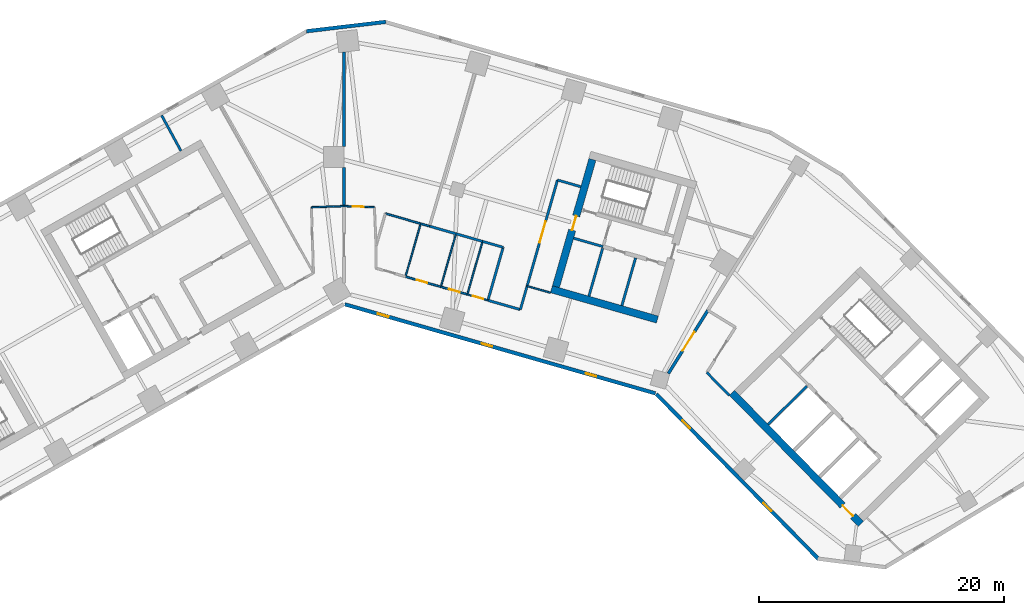
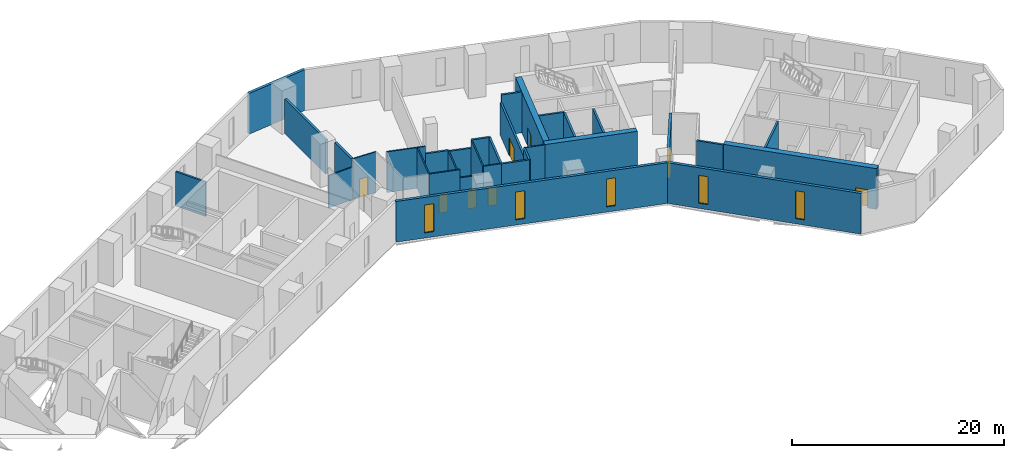
# One storey, part 5 of 10: 34 walls, 8 doors, 5 windows, 13 openings.
"""IFC4 building model written with IfcOpenShell, lengths in metres."""

from ifc_helpers import new_model, si_unit, direction, frame, frame_2d, origin, place, context, subcontext, project, spatial, rectangle, extrude, material, layer, layer_set, type_object, element, fill, save


model = new_model("IFC4")

# Units and contexts
model_context = context("Model", 3, precision=1e-05, world=origin(), true_north=direction((0.0, 1.0)))
body_context = subcontext(model_context, "Body", "Model", "MODEL_VIEW")
ifc_project = project(units=[si_unit("LENGTHUNIT", "METRE"), si_unit("AREAUNIT", "SQUARE_METRE"), si_unit("VOLUMEUNIT", "CUBIC_METRE"), si_unit("PLANEANGLEUNIT", "RADIAN"), si_unit("MASSUNIT", "GRAM", prefix="KILO")], contexts=[model_context])

# Site, building, storey
site_placement = place(None, origin())
site = spatial("IfcSite", under=ifc_project, at=site_placement, CompositionType="ELEMENT")
building_placement = place(site_placement, origin())
building = spatial("IfcBuilding", under=site, at=building_placement, Name="Binnacle Exchange Tower", CompositionType="ELEMENT")
storey_placement = place(building_placement, frame((0.0, 0.0, 41.5)))
storey = spatial("IfcBuildingStorey", under=building, at=storey_placement, Name="L08", CompositionType="ELEMENT", Elevation=41.5)

# Wall
ifc_material_1 = material(Name="Gypsum partition fire rated")
ifc_layer_1 = layer(ifc_material_1, 0.199951171875)
ifc_layer_set_1 = layer_set([ifc_layer_1], Name="Core partition 200")
wall_type_1 = type_object("IfcWallType", Name="Core partition 200", PredefinedType="PARTITIONING", material=ifc_layer_set_1)
wall_1_placement = place(storey_placement, frame((22.664794921875, 47.88330078125, 0.0), z_axis=(0.0, 0.0, 1.0), x_axis=(0.275596769212, 0.961273333033, 0.0)))
element("IfcWall", 1, at=wall_1_placement, inside=storey, type_object=wall_type_1, Name="Core wall CRWD10", PredefinedType="PARTITIONING", context=body_context, shape_type="SweptSolid", body=[
    extrude(rectangle(XDim=4.050048828125, YDim=0.199951171875, at=frame_2d((2.02490234375, 0.0))), origin(), (0.0, 0.0, 1.0), 4.679931640625),
])

# Wall, opening, door
ifc_material_2 = material(Name="Concrete C70/85", Category="concrete")
ifc_layer_2 = layer(ifc_material_2, 0.60009765625)
ifc_layer_set_2 = layer_set([ifc_layer_2], Name="Core wall - outer 600")
wall_type_2 = type_object("IfcWallType", Name="Core wall - outer 600", PredefinedType="SOLIDWALL", material=ifc_layer_set_2)
wall_2_placement = place(storey_placement, frame((31.6455078125, 40.7626953125, 0.0), z_axis=(0.0, 0.0, 1.0), x_axis=(0.700911255944, -0.713248491965, 0.0)))
wall_2 = element("IfcWall", 2, at=wall_2_placement, inside=storey, type_object=wall_type_2, Name="Core wall CRWB1", PredefinedType="SOLIDWALL", context=body_context, shape_type="SweptSolid", body=[
    extrude(rectangle(XDim=15.0, YDim=0.60009765625, at=frame_2d((7.5, 0.0))), origin(), (0.0, 0.0, 1.0), 4.679931640625),
])
opening_1_placement = place(wall_2_placement, frame((12.89990234375, 0.0, 0.0)))
opening_1 = element("IfcOpeningElement", 3, at=opening_1_placement, cuts=wall_2, Name="Opening DB7", PredefinedType="OPENING", context=body_context, shape_type="SweptSolid", body=[
    extrude(rectangle(XDim=1.199951171875, YDim=2.10009765625, at=frame_2d((0.60009765625, 1.050048828125))), frame((0.0, 0.31005859375, 0.0), z_axis=(0.0, -1.0, 0.0), x_axis=(1.0, 0.0, 0.0)), (0.0, 0.0, 1.0), 0.6201171875),
])
ifc_material_3 = material(Name="Steel door leaf", Category="steel")
door_type_1 = type_object("IfcDoorType", Name="Fire door 1200", OperationType="NOTDEFINED", PredefinedType="DOOR", material=ifc_material_3)
door_1_placement = place(opening_1_placement, frame((1.199951171875, 0.0, 0.0), z_axis=(0.0, 0.0, 1.0), x_axis=(-1.0, 0.0, 0.0)))
door_1 = element("IfcDoor", 4, at=door_1_placement, inside=storey, type_object=door_type_1, Name="Lift lobby entrance door core B", OperationType="SINGLE_SWING_LEFT", OverallHeight=2.10009765625, OverallWidth=1.199951171875, PredefinedType="DOOR", context=body_context, shape_type="SweptSolid", body=[
    extrude(rectangle(XDim=1.199951171875, YDim=2.10009765625, at=frame_2d((0.60009765625, 1.050048828125))), frame((0.0, 0.02490234375, 0.0), z_axis=(0.0, -1.0, 0.0), x_axis=(1.0, 0.0, 0.0)), (0.0, 0.0, 1.0), 0.050048828125),
])
fill(opening_1, door_1)

# Wall
wall_3_placement = place(storey_placement, frame((16.91064453125, 49.22119140625, 0.0), z_axis=(0.0, 0.0, 1.0), x_axis=(0.96126248289, -0.275634611374, 0.0)))
element("IfcWall", 5, at=wall_3_placement, inside=storey, type_object=wall_type_2, Name="Core wall CRWD1", PredefinedType="SOLIDWALL", context=body_context, shape_type="SweptSolid", body=[
    extrude(rectangle(XDim=9.0, YDim=0.60009765625, at=frame_2d((4.5, 0.0))), origin(), (0.0, 0.0, 1.0), 4.679931640625),
])

# Wall, opening, door
wall_4_placement = place(storey_placement, frame((17.28173828125, 49.427001953125, 0.0), z_axis=(0.0, 0.0, 1.0), x_axis=(0.275631631629, 0.961263337304, 0.0)))
wall_4 = element("IfcWall", 6, at=wall_4_placement, inside=storey, type_object=wall_type_2, Name="Core wall CRWD7", PredefinedType="SOLIDWALL", context=body_context, shape_type="SweptSolid", body=[
    extrude(rectangle(XDim=10.800048828125, YDim=0.60009765625, at=frame_2d((5.39990234375, 0.0))), origin(), (0.0, 0.0, 1.0), 4.679931640625),
])
opening_2_placement = place(wall_4_placement, frame((4.800048828125, 0.0, 0.0)))
opening_2 = element("IfcOpeningElement", 7, at=opening_2_placement, cuts=wall_4, Name="Opening DD5", PredefinedType="OPENING", context=body_context, shape_type="SweptSolid", body=[
    extrude(rectangle(XDim=1.199951171875, YDim=2.10009765625, at=frame_2d((0.60009765625, 1.050048828125))), frame((0.0, 0.31005859375, 0.0), z_axis=(0.0, -1.0, 0.0), x_axis=(1.0, 0.0, 0.0)), (0.0, 0.0, 1.0), 0.6201171875),
])
door_2_placement = place(opening_2_placement, origin())
door_2 = element("IfcDoor", 8, at=door_2_placement, inside=storey, type_object=door_type_1, Name="Vestibule exit door VEST-W", OperationType="SINGLE_SWING_RIGHT", OverallHeight=2.10009765625, OverallWidth=1.199951171875, PredefinedType="DOOR", context=body_context, shape_type="SweptSolid", body=[
    extrude(rectangle(XDim=1.199951171875, YDim=2.10009765625, at=frame_2d((0.60009765625, 1.050048828125))), frame((0.0, 0.02490234375, 0.0), z_axis=(0.0, -1.0, 0.0), x_axis=(1.0, 0.0, 0.0)), (0.0, 0.0, 1.0), 0.050048828125),
])
fill(opening_2, door_2)

# Wall
ifc_material_4 = material(Name="Bronze aluminium cladding", Category="aluminium")
ifc_layer_3 = layer(ifc_material_4, 0.300048828125)
ifc_layer_set_3 = layer_set([ifc_layer_3], Name="External wall - spandrel 300")
wall_type_3 = type_object("IfcWallType", Name="External wall - spandrel 300", PredefinedType="STANDARD", material=ifc_layer_set_3)
wall_5_placement = place(storey_placement, frame((-3.076171875, 70.27294921875, 0.0), z_axis=(0.0, 0.0, 1.0), x_axis=(0.993067743007, 0.117543429416, 0.0)))
element("IfcWall", 9, at=wall_5_placement, inside=storey, type_object=wall_type_3, Name="External wall EW-F02 L08", PredefinedType="STANDARD", context=body_context, shape_type="SweptSolid", body=[
    extrude(rectangle(XDim=6.515625, YDim=0.300048828125, at=frame_2d((3.2578125, 0.0))), origin(), (0.0, 0.0, 1.0), 4.679931640625),
])

# Wall, openings, windows
wall_6_placement = place(storey_placement, frame((25.398193359375, 40.71728515625, 0.0), z_axis=(0.0, 0.0, 1.0), x_axis=(-0.961262423262, 0.275634819324, 0.0)))
wall_6 = element("IfcWall", 10, at=wall_6_placement, inside=storey, type_object=wall_type_3, Name="External wall EW-F08 L08", PredefinedType="STANDARD", context=body_context, shape_type="SweptSolid", body=[
    extrude(rectangle(XDim=26.358642578125, YDim=0.300048828125, at=frame_2d((13.17919921875, 0.0))), origin(), (0.0, 0.0, 1.0), 4.679931640625),
])
opening_3_placement = place(wall_6_placement, frame((22.6640625, 0.0, 0.60009765625)))
opening_3 = element("IfcOpeningElement", 11, at=opening_3_placement, cuts=wall_6, Name="Opening WS1", PredefinedType="OPENING", context=body_context, shape_type="SweptSolid", body=[
    extrude(rectangle(XDim=0.89990234375, YDim=3.199951171875, at=frame_2d((0.449951171875, 1.60009765625))), frame((0.0, 0.159912109375, 0.0), z_axis=(0.0, -1.0, 0.0), x_axis=(1.0, 0.0, 0.0)), (0.0, 0.0, 1.0), 0.320068359375),
])
opening_4_placement = place(wall_6_placement, frame((13.843505859375, 0.0, 0.60009765625)))
opening_4 = element("IfcOpeningElement", 12, at=opening_4_placement, cuts=wall_6, Name="Opening WS1", PredefinedType="OPENING", context=body_context, shape_type="SweptSolid", body=[
    extrude(rectangle(XDim=0.89990234375, YDim=3.199951171875, at=frame_2d((0.449951171875, 1.60009765625))), frame((0.0, 0.159912109375, 0.0), z_axis=(0.0, -1.0, 0.0), x_axis=(1.0, 0.0, 0.0)), (0.0, 0.0, 1.0), 0.320068359375),
])
opening_5_placement = place(wall_6_placement, frame((5.023193359375, 0.0, 0.60009765625)))
opening_5 = element("IfcOpeningElement", 13, at=opening_5_placement, cuts=wall_6, Name="Opening WS1", PredefinedType="OPENING", context=body_context, shape_type="SweptSolid", body=[
    extrude(rectangle(XDim=0.89990234375, YDim=3.199951171875, at=frame_2d((0.449951171875, 1.60009765625))), frame((0.0, 0.159912109375, 0.0), z_axis=(0.0, -1.0, 0.0), x_axis=(1.0, 0.0, 0.0)), (0.0, 0.0, 1.0), 0.320068359375),
])
ifc_material_5 = material(Name="Bronze anodised aluminium frame", Category="aluminium")
window_type = type_object("IfcWindowType", Name="WS1 WINDOW 900x3200", PartitioningType="SINGLE_PANEL", PredefinedType="WINDOW", material=ifc_material_5)
window_1_placement = place(opening_3_placement, origin())
window_1 = element("IfcWindow", 14, at=window_1_placement, inside=storey, type_object=window_type, Name="Window WS1 L08", OverallHeight=3.199951171875, OverallWidth=0.89990234375, PartitioningType="SINGLE_PANEL", PredefinedType="WINDOW", context=body_context, shape_type="SweptSolid", body=[
    extrude(rectangle(XDim=0.89990234375, YDim=3.199951171875, at=frame_2d((0.449951171875, 1.60009765625))), frame((0.0, 0.030029296875, 0.0), z_axis=(0.0, -1.0, 0.0), x_axis=(1.0, 0.0, 0.0)), (0.0, 0.0, 1.0), 0.06005859375),
])
fill(opening_3, window_1)
window_2_placement = place(opening_4_placement, origin())
window_2 = element("IfcWindow", 15, at=window_2_placement, inside=storey, type_object=window_type, Name="Window WS1 L08", OverallHeight=3.199951171875, OverallWidth=0.89990234375, PartitioningType="SINGLE_PANEL", PredefinedType="WINDOW", context=body_context, shape_type="SweptSolid", body=[
    extrude(rectangle(XDim=0.89990234375, YDim=3.199951171875, at=frame_2d((0.449951171875, 1.60009765625))), frame((0.0, 0.030029296875, 0.0), z_axis=(0.0, -1.0, 0.0), x_axis=(1.0, 0.0, 0.0)), (0.0, 0.0, 1.0), 0.06005859375),
])
fill(opening_4, window_2)
window_3_placement = place(opening_5_placement, origin())
window_3 = element("IfcWindow", 16, at=window_3_placement, inside=storey, type_object=window_type, Name="Window WS1 L08", OverallHeight=3.199951171875, OverallWidth=0.89990234375, PartitioningType="SINGLE_PANEL", PredefinedType="WINDOW", context=body_context, shape_type="SweptSolid", body=[
    extrude(rectangle(XDim=0.89990234375, YDim=3.199951171875, at=frame_2d((0.449951171875, 1.60009765625))), frame((0.0, 0.030029296875, 0.0), z_axis=(0.0, -1.0, 0.0), x_axis=(1.0, 0.0, 0.0)), (0.0, 0.0, 1.0), 0.06005859375),
])
fill(opening_5, window_3)

wall_7_placement = place(storey_placement, frame((38.727294921875, 27.18115234375, 0.0), z_axis=(0.0, 0.0, 1.0), x_axis=(-0.700906405975, 0.713253258011, 0.0)))
wall_7 = element("IfcWall", 17, at=wall_7_placement, inside=storey, type_object=wall_type_3, Name="External wall EW-F09 L08", PredefinedType="STANDARD", context=body_context, shape_type="SweptSolid", body=[
    extrude(rectangle(XDim=18.92333984375, YDim=0.300048828125, at=frame_2d((9.461669921875, 0.0))), origin(), (0.0, 0.0, 1.0), 4.679931640625),
])
opening_6_placement = place(wall_7_placement, frame((14.967041015625, 0.0, 0.60009765625)))
opening_6 = element("IfcOpeningElement", 18, at=opening_6_placement, cuts=wall_7, Name="Opening WS1", PredefinedType="OPENING", context=body_context, shape_type="SweptSolid", body=[
    extrude(rectangle(XDim=0.89990234375, YDim=3.199951171875, at=frame_2d((0.449951171875, 1.60009765625))), frame((0.0, 0.159912109375, 0.0), z_axis=(0.0, -1.0, 0.0), x_axis=(1.0, 0.0, 0.0)), (0.0, 0.0, 1.0), 0.320068359375),
])
opening_7_placement = place(wall_7_placement, frame((5.51171875, 0.0, 0.60009765625)))
opening_7 = element("IfcOpeningElement", 19, at=opening_7_placement, cuts=wall_7, Name="Opening WS1", PredefinedType="OPENING", context=body_context, shape_type="SweptSolid", body=[
    extrude(rectangle(XDim=0.89990234375, YDim=3.199951171875, at=frame_2d((0.449951171875, 1.60009765625))), frame((0.0, 0.159912109375, 0.0), z_axis=(0.0, -1.0, 0.0), x_axis=(1.0, 0.0, 0.0)), (0.0, 0.0, 1.0), 0.320068359375),
])
window_4_placement = place(opening_6_placement, origin())
window_4 = element("IfcWindow", 20, at=window_4_placement, inside=storey, type_object=window_type, Name="Window WS1 L08", OverallHeight=3.199951171875, OverallWidth=0.89990234375, PartitioningType="SINGLE_PANEL", PredefinedType="WINDOW", context=body_context, shape_type="SweptSolid", body=[
    extrude(rectangle(XDim=0.89990234375, YDim=3.199951171875, at=frame_2d((0.449951171875, 1.60009765625))), frame((0.0, 0.030029296875, 0.0), z_axis=(0.0, -1.0, 0.0), x_axis=(1.0, 0.0, 0.0)), (0.0, 0.0, 1.0), 0.06005859375),
])
fill(opening_6, window_4)
window_5_placement = place(opening_7_placement, origin())
window_5 = element("IfcWindow", 21, at=window_5_placement, inside=storey, type_object=window_type, Name="Window WS1 L08", OverallHeight=3.199951171875, OverallWidth=0.89990234375, PartitioningType="SINGLE_PANEL", PredefinedType="WINDOW", context=body_context, shape_type="SweptSolid", body=[
    extrude(rectangle(XDim=0.89990234375, YDim=3.199951171875, at=frame_2d((0.449951171875, 1.60009765625))), frame((0.0, 0.030029296875, 0.0), z_axis=(0.0, -1.0, 0.0), x_axis=(1.0, 0.0, 0.0)), (0.0, 0.0, 1.0), 0.06005859375),
])
fill(opening_7, window_5)

# Walls
ifc_material_6 = material(Name="Masonry block wall", Category="masonry")
ifc_layer_4 = layer(ifc_material_6, 0.199951171875)
ifc_layer_set_4 = layer_set([ifc_layer_4], Name="Fire wall - block 200")
wall_type_4 = type_object("IfcWallType", Name="Fire wall - block 200", PredefinedType="PARTITIONING", material=ifc_layer_set_4)
wall_8_placement = place(storey_placement, frame((-14.89404296875, 63.40087890625, 0.0), z_axis=(0.0, 0.0, 1.0), x_axis=(0.478389929376, -0.878147524891, 0.0)))
element("IfcWall", 22, at=wall_8_placement, inside=storey, type_object=wall_type_4, Name="Partition W05", PredefinedType="PARTITIONING", context=body_context, shape_type="SweptSolid", body=[
    extrude(rectangle(XDim=3.294189453125, YDim=0.199951171875, at=frame_2d((1.64697265625, 0.0))), origin(), (0.0, 0.0, 1.0), 3.9599609375),
])
wall_9_placement = place(storey_placement, frame((6.966064453125, 54.362060546875, 0.0), z_axis=(0.0, 0.0, 1.0), x_axis=(0.961154610169, -0.276010534854, 0.0)))
element("IfcWall", 23, at=wall_9_placement, inside=storey, type_object=wall_type_4, Name="Partition W22", PredefinedType="PARTITIONING", context=body_context, shape_type="SweptSolid", body=[
    extrude(rectangle(XDim=2.250244140625, YDim=0.199951171875, at=frame_2d((1.125, 0.0))), origin(), (0.0, 0.0, 1.0), 3.85205078125),
])
wall_10_placement = place(storey_placement, frame((9.12890625, 53.740966796875, 0.0), z_axis=(0.0, 0.0, 1.0), x_axis=(0.961273691875, -0.275595517578, 0.0)))
element("IfcWall", 24, at=wall_10_placement, inside=storey, type_object=wall_type_4, Name="Partition W26", PredefinedType="PARTITIONING", context=body_context, shape_type="SweptSolid", body=[
    extrude(rectangle(XDim=2.249267578125, YDim=0.199951171875, at=frame_2d((1.12451171875, 0.0))), origin(), (0.0, 0.0, 1.0), 3.741943359375),
])
wall_11_placement = place(storey_placement, frame((11.291015625, 53.12109375, 0.0), z_axis=(0.0, 0.0, 1.0), x_axis=(0.961329010357, -0.275402494264, 0.0)))
element("IfcWall", 25, at=wall_11_placement, inside=storey, type_object=wall_type_4, Name="Partition W29", PredefinedType="PARTITIONING", context=body_context, shape_type="SweptSolid", body=[
    extrude(rectangle(XDim=1.750732421875, YDim=0.199951171875, at=frame_2d((0.87548828125, 0.0))), origin(), (0.0, 0.0, 1.0), 4.679931640625),
])
wall_12_placement = place(storey_placement, frame((11.73291015625, 48.31298828125, 0.0), z_axis=(0.0, 0.0, 1.0), x_axis=(0.275795676316, 0.961216284155, 0.0)))
element("IfcWall", 26, at=wall_12_placement, inside=storey, type_object=wall_type_4, Name="Partition W30", PredefinedType="PARTITIONING", context=body_context, shape_type="SweptSolid", body=[
    extrude(rectangle(XDim=4.50048828125, YDim=0.199951171875, at=frame_2d((2.250244140625, 0.0))), origin(), (0.0, 0.0, 1.0), 4.679931640625),
])
wall_13_placement = place(storey_placement, frame((11.73291015625, 48.31298828125, 0.0), z_axis=(0.0, 0.0, 1.0), x_axis=(0.961272337704, -0.275600240865, 0.0)))
element("IfcWall", 27, at=wall_13_placement, inside=storey, type_object=wall_type_4, Name="Partition W31", PredefinedType="PARTITIONING", context=body_context, shape_type="SweptSolid", body=[
    extrude(rectangle(XDim=2.75048828125, YDim=0.199951171875, at=frame_2d((1.375244140625, 0.0))), origin(), (0.0, 0.0, 1.0), 4.679931640625),
])
wall_14_placement = place(storey_placement, frame((14.376953125, 47.554931640625, 0.0), z_axis=(0.0, 0.0, 1.0), x_axis=(0.275446387355, 0.961316434736, 0.0)))
element("IfcWall", 28, at=wall_14_placement, inside=storey, type_object=wall_type_4, Name="Partition W32", PredefinedType="PARTITIONING", context=body_context, shape_type="SweptSolid", body=[
    extrude(rectangle(XDim=2.00048828125, YDim=0.199951171875, at=frame_2d((1.000244140625, 0.0))), origin(), (0.0, 0.0, 1.0), 4.679931640625),
])

# Wall, opening, door
wall_15_placement = place(storey_placement, frame((14.927978515625, 49.47802734375, 0.0), z_axis=(0.0, 0.0, 1.0), x_axis=(0.275674053528, 0.961251172281, 0.0)))
wall_15 = element("IfcWall", 29, at=wall_15_placement, inside=storey, type_object=wall_type_4, Name="Partition W34", PredefinedType="PARTITIONING", context=body_context, shape_type="SweptSolid", body=[
    extrude(rectangle(XDim=8.99951171875, YDim=0.199951171875, at=frame_2d((4.499755859375, 0.0))), origin(), (0.0, 0.0, 1.0), 3.741943359375),
])
opening_8_placement = place(wall_15_placement, frame((3.699951171875, 0.0, 0.0)))
opening_8 = element("IfcOpeningElement", 30, at=opening_8_placement, cuts=wall_15, Name="Opening DL08-10", PredefinedType="OPENING", context=body_context, shape_type="SweptSolid", body=[
    extrude(rectangle(XDim=1.800048828125, YDim=2.10009765625, at=frame_2d((0.89990234375, 1.050048828125))), frame((0.0, 0.10986328125, 0.0), z_axis=(0.0, -1.0, 0.0), x_axis=(1.0, 0.0, 0.0)), (0.0, 0.0, 1.0), 0.219970703125),
])
door_type_2 = type_object("IfcDoorType", Name="Fire door 1800", OperationType="NOTDEFINED", PredefinedType="DOOR", material=ifc_material_3)
door_3_placement = place(opening_8_placement, origin())
door_3 = element("IfcDoor", 31, at=door_3_placement, inside=storey, type_object=door_type_2, Name="Door DL08-10", OperationType="DOUBLE_DOOR_SINGLE_SWING", OverallHeight=2.10009765625, OverallWidth=1.800048828125, PredefinedType="DOOR", context=body_context, shape_type="SweptSolid", body=[
    extrude(rectangle(XDim=1.800048828125, YDim=2.10009765625, at=frame_2d((0.89990234375, 1.050048828125))), frame((0.0, 0.02490234375, 0.0), z_axis=(0.0, -1.0, 0.0), x_axis=(1.0, 0.0, 0.0)), (0.0, 0.0, 1.0), 0.050048828125),
])
fill(opening_8, door_3)

# Walls
wall_16_placement = place(storey_placement, frame((17.408935546875, 58.12890625, 0.0), z_axis=(0.0, 0.0, 1.0), x_axis=(0.961253165474, -0.275667103345, 0.0)))
element("IfcWall", 32, at=wall_16_placement, inside=storey, type_object=wall_type_4, Name="Partition W35", PredefinedType="PARTITIONING", context=body_context, shape_type="SweptSolid", body=[
    extrude(rectangle(XDim=1.976806640625, YDim=0.199951171875, at=frame_2d((0.98828125, 0.0))), origin(), (0.0, 0.0, 1.0), 4.679931640625),
])
wall_17_placement = place(storey_placement, frame((29.60009765625, 42.416015625, 0.0), z_axis=(0.0, 0.0, 1.0), x_axis=(0.700914320664, -0.713245480244, 0.0)))
element("IfcWall", 33, at=wall_17_placement, inside=storey, type_object=wall_type_4, Name="Partition W38", PredefinedType="PARTITIONING", context=body_context, shape_type="SweptSolid", body=[
    extrude(rectangle(XDim=2.613525390625, YDim=0.199951171875, at=frame_2d((1.306640625, 0.0))), origin(), (0.0, 0.0, 1.0), 4.679931640625),
])
ifc_material_7 = material(Name="Concrete fire wall C30/37", Category="concrete")
ifc_layer_5 = layer(ifc_material_7, 0.25)
ifc_layer_set_5 = layer_set([ifc_layer_5], Name="Fire wall - compartment 250")
wall_type_5 = type_object("IfcWallType", Name="Fire wall - compartment 250", PredefinedType="PARTITIONING", material=ifc_layer_set_5)
wall_18_placement = place(storey_placement, frame((0.0, 56.0, 0.0), z_axis=(0.0, 0.0, 1.0), x_axis=(0.0, 1.0, 0.0)))
element("IfcWall", 34, at=wall_18_placement, inside=storey, type_object=wall_type_5, Name="Fire Wall W11", PredefinedType="PARTITIONING", context=body_context, shape_type="SweptSolid", body=[
    extrude(rectangle(XDim=3.14990234375, YDim=0.25, at=frame_2d((1.574951171875, 0.0))), origin(), (0.0, 0.0, 1.0), 4.679931640625),
])
wall_19_placement = place(storey_placement, frame((0.0, 60.85009765625, 0.0), z_axis=(0.0, 0.0, 1.0), x_axis=(0.0, 1.0, 0.0)))
element("IfcWall", 35, at=wall_19_placement, inside=storey, type_object=wall_type_5, Name="Fire Wall W13", PredefinedType="PARTITIONING", context=body_context, shape_type="SweptSolid", body=[
    extrude(rectangle(XDim=7.722900390625, YDim=0.25, at=frame_2d((3.861328125, 0.0))), origin(), (0.0, 0.0, 1.0), 3.951904296875),
])

# Wall, opening, door
wall_20_placement = place(storey_placement, frame((26.4560546875, 42.337890625, 0.0), z_axis=(0.0, 0.0, 1.0), x_axis=(0.52980027265, 0.848122438743, 0.0)))
wall_20 = element("IfcWall", 36, at=wall_20_placement, inside=storey, type_object=wall_type_5, Name="Fire Wall W36", PredefinedType="PARTITIONING", context=body_context, shape_type="SweptSolid", body=[
    extrude(rectangle(XDim=6.075927734375, YDim=0.25, at=frame_2d((3.0380859375, 0.0))), origin(), (0.0, 0.0, 1.0), 4.679931640625),
])
opening_9_placement = place(wall_20_placement, frame((2.199951171875, 0.0, 0.0)))
opening_9 = element("IfcOpeningElement", 37, at=opening_9_placement, cuts=wall_20, Name="Opening DL08-14", PredefinedType="OPENING", context=body_context, shape_type="SweptSolid", body=[
    extrude(rectangle(XDim=1.800048828125, YDim=2.10009765625, at=frame_2d((0.89990234375, 1.050048828125))), frame((0.0, 0.135009765625, 0.0), z_axis=(0.0, -1.0, 0.0), x_axis=(1.0, 0.0, 0.0)), (0.0, 0.0, 1.0), 0.27001953125),
])
door_4_placement = place(opening_9_placement, origin())
door_4 = element("IfcDoor", 38, at=door_4_placement, inside=storey, type_object=door_type_2, Name="Door DL08-14", OperationType="DOUBLE_DOOR_SINGLE_SWING", OverallHeight=2.10009765625, OverallWidth=1.800048828125, PredefinedType="DOOR", context=body_context, shape_type="SweptSolid", body=[
    extrude(rectangle(XDim=1.800048828125, YDim=2.10009765625, at=frame_2d((0.89990234375, 1.050048828125))), frame((0.0, 0.02490234375, 0.0), z_axis=(0.0, -1.0, 0.0), x_axis=(1.0, 0.0, 0.0)), (0.0, 0.0, 1.0), 0.050048828125),
])
fill(opening_9, door_4)

# Wall
ifc_layer_6 = layer(ifc_material_1, 0.14990234375)
ifc_layer_set_6 = layer_set([ifc_layer_6], Name="Fire-rated partition 150")
wall_type_6 = type_object("IfcWallType", Name="Fire-rated partition 150", PredefinedType="PARTITIONING", material=ifc_layer_set_6)
wall_21_placement = place(storey_placement, frame((3.361083984375, 55.39501953125, 0.0), z_axis=(0.0, 0.0, 1.0), x_axis=(0.961268664977, -0.27561305073, 0.0)))
element("IfcWall", 39, at=wall_21_placement, inside=storey, type_object=wall_type_6, Name="Partition W18", PredefinedType="PARTITIONING", context=body_context, shape_type="SweptSolid", body=[
    extrude(rectangle(XDim=3.000244140625, YDim=0.14990234375, at=frame_2d((1.5, 0.0))), origin(), (0.0, 0.0, 1.0), 4.679931640625),
])

# Wall, opening, door
wall_22_placement = place(storey_placement, frame((5.00390625, 50.242919921875, 0.0), z_axis=(0.0, 0.0, 1.0), x_axis=(0.961268664977, -0.27561305073, 0.0)))
wall_22 = element("IfcWall", 40, at=wall_22_placement, inside=storey, type_object=wall_type_6, Name="Partition W20", PredefinedType="PARTITIONING", context=body_context, shape_type="SweptSolid", body=[
    extrude(rectangle(XDim=3.000244140625, YDim=0.14990234375, at=frame_2d((1.5, 0.0))), origin(), (0.0, 0.0, 1.0), 4.679931640625),
])
opening_10_placement = place(wall_22_placement, frame((0.949951171875, 0.0, 0.0)))
opening_10 = element("IfcOpeningElement", 41, at=opening_10_placement, cuts=wall_22, Name="Opening DL08-06", PredefinedType="OPENING", context=body_context, shape_type="SweptSolid", body=[
    extrude(rectangle(XDim=0.89990234375, YDim=2.10009765625, at=frame_2d((0.449951171875, 1.050048828125))), frame((0.0, 0.0849609375, 0.0), z_axis=(0.0, -1.0, 0.0), x_axis=(1.0, 0.0, 0.0)), (0.0, 0.0, 1.0), 0.169921875),
])
door_type_3 = type_object("IfcDoorType", Name="Fire door 900", OperationType="NOTDEFINED", PredefinedType="DOOR", material=ifc_material_3)
door_5_placement = place(opening_10_placement, origin())
door_5 = element("IfcDoor", 42, at=door_5_placement, inside=storey, type_object=door_type_3, Name="Door DL08-06", OperationType="SINGLE_SWING_LEFT", OverallHeight=2.10009765625, OverallWidth=0.89990234375, PredefinedType="DOOR", context=body_context, shape_type="SweptSolid", body=[
    extrude(rectangle(XDim=0.89990234375, YDim=2.10009765625, at=frame_2d((0.449951171875, 1.050048828125))), frame((0.0, 0.02490234375, 0.0), z_axis=(0.0, -1.0, 0.0), x_axis=(1.0, 0.0, 0.0)), (0.0, 0.0, 1.0), 0.050048828125),
])
fill(opening_10, door_5)

# Wall
wall_23_placement = place(storey_placement, frame((6.2451171875, 54.568115234375, 0.0), z_axis=(0.0, 0.0, 1.0), x_axis=(0.961499370144, -0.274807134575, 0.0)))
element("IfcWall", 43, at=wall_23_placement, inside=storey, type_object=wall_type_6, Name="Partition W21", PredefinedType="PARTITIONING", context=body_context, shape_type="SweptSolid", body=[
    extrude(rectangle(XDim=0.749755859375, YDim=0.14990234375, at=frame_2d((0.375, 0.0))), origin(), (0.0, 0.0, 1.0), 4.679931640625),
])

# Wall, opening, door
wall_24_placement = place(storey_placement, frame((7.887939453125, 49.416015625, 0.0), z_axis=(0.0, 0.0, 1.0), x_axis=(0.9611628742, -0.275981755301, 0.0)))
wall_24 = element("IfcWall", 44, at=wall_24_placement, inside=storey, type_object=wall_type_6, Name="Partition W25", PredefinedType="PARTITIONING", context=body_context, shape_type="SweptSolid", body=[
    extrude(rectangle(XDim=2.25048828125, YDim=0.14990234375, at=frame_2d((1.125244140625, 0.0))), origin(), (0.0, 0.0, 1.0), 3.741943359375),
])
opening_11_placement = place(wall_24_placement, frame((0.699951171875, 0.0, 0.0)))
opening_11 = element("IfcOpeningElement", 45, at=opening_11_placement, cuts=wall_24, Name="Opening DL08-07", PredefinedType="OPENING", context=body_context, shape_type="SweptSolid", body=[
    extrude(rectangle(XDim=0.89990234375, YDim=2.10009765625, at=frame_2d((0.449951171875, 1.050048828125))), frame((0.0, 0.0849609375, 0.0), z_axis=(0.0, -1.0, 0.0), x_axis=(1.0, 0.0, 0.0)), (0.0, 0.0, 1.0), 0.169921875),
])
door_6_placement = place(opening_11_placement, origin())
door_6 = element("IfcDoor", 46, at=door_6_placement, inside=storey, type_object=door_type_3, Name="Door DL08-07", OperationType="SINGLE_SWING_RIGHT", OverallHeight=2.10009765625, OverallWidth=0.89990234375, PredefinedType="DOOR", context=body_context, shape_type="SweptSolid", body=[
    extrude(rectangle(XDim=0.89990234375, YDim=2.10009765625, at=frame_2d((0.449951171875, 1.050048828125))), frame((0.0, 0.02490234375, 0.0), z_axis=(0.0, -1.0, 0.0), x_axis=(1.0, 0.0, 0.0)), (0.0, 0.0, 1.0), 0.050048828125),
])
fill(opening_11, door_6)

# Wall
ifc_material_8 = material(Name="Gypsum partition")
ifc_layer_7 = layer(ifc_material_8, 0.125)
ifc_layer_set_7 = layer_set([ifc_layer_7], Name="Partition 125")
wall_type_7 = type_object("IfcWallType", Name="Partition 125", PredefinedType="PARTITIONING", material=ifc_layer_set_7)
wall_25_placement = place(storey_placement, frame((-2.669921875, 55.904052734375, 0.0), z_axis=(0.0, 0.0, 1.0), x_axis=(0.999354913865, 0.03591317494, 0.0)))
element("IfcWall", 47, at=wall_25_placement, inside=storey, type_object=wall_type_7, Name="Partition W09", PredefinedType="PARTITIONING", context=body_context, shape_type="SweptSolid", body=[
    extrude(rectangle(XDim=2.671630859375, YDim=0.125, at=frame_2d((1.3359375, 0.0))), origin(), (0.0, 0.0, 1.0), 3.741943359375),
])

# Wall, opening, door
wall_26_placement = place(storey_placement, frame((0.0, 56.0, 0.0), z_axis=(0.0, 0.0, 1.0), x_axis=(0.999349313684, -0.036068673934, 0.0)))
wall_26 = element("IfcWall", 48, at=wall_26_placement, inside=storey, type_object=wall_type_7, Name="Partition W12", PredefinedType="PARTITIONING", context=body_context, shape_type="SweptSolid", body=[
    extrude(rectangle(XDim=2.470703125, YDim=0.125, at=frame_2d((1.2353515625, 0.0))), origin(), (0.0, 0.0, 1.0), 4.679931640625),
])
opening_12_placement = place(wall_26_placement, frame((0.699951171875, 0.0, 0.0)))
opening_12 = element("IfcOpeningElement", 49, at=opening_12_placement, cuts=wall_26, Name="Opening DL08-09", PredefinedType="OPENING", context=body_context, shape_type="SweptSolid", body=[
    extrude(rectangle(XDim=0.89990234375, YDim=2.10009765625, at=frame_2d((0.449951171875, 1.050048828125))), frame((0.0, 0.072509765625, 0.0), z_axis=(0.0, -1.0, 0.0), x_axis=(1.0, 0.0, 0.0)), (0.0, 0.0, 1.0), 0.14501953125),
])
ifc_material_9 = material(Name="Timber door leaf", Category="wood")
door_type_4 = type_object("IfcDoorType", Name="Door 900", OperationType="NOTDEFINED", PredefinedType="DOOR", material=ifc_material_9)
door_7_placement = place(opening_12_placement, origin())
door_7 = element("IfcDoor", 50, at=door_7_placement, inside=storey, type_object=door_type_4, Name="Door DL08-09", OperationType="SINGLE_SWING_LEFT", OverallHeight=2.10009765625, OverallWidth=0.89990234375, PredefinedType="DOOR", context=body_context, shape_type="SweptSolid", body=[
    extrude(rectangle(XDim=0.89990234375, YDim=2.10009765625, at=frame_2d((0.449951171875, 1.050048828125))), frame((0.0, 0.02490234375, 0.0), z_axis=(0.0, -1.0, 0.0), x_axis=(1.0, 0.0, 0.0)), (0.0, 0.0, 1.0), 0.050048828125),
])
fill(opening_12, door_7)

# Walls
wall_27_placement = place(storey_placement, frame((5.00390625, 50.242919921875, 0.0), z_axis=(0.0, 0.0, 1.0), x_axis=(0.275838825927, 0.961203902464, 0.0)))
element("IfcWall", 51, at=wall_27_placement, inside=storey, type_object=wall_type_7, Name="Partition W19", PredefinedType="PARTITIONING", context=body_context, shape_type="SweptSolid", body=[
    extrude(rectangle(XDim=4.499755859375, YDim=0.125, at=frame_2d((2.25, 0.0))), origin(), (0.0, 0.0, 1.0), 4.679931640625),
])
wall_28_placement = place(storey_placement, frame((7.887939453125, 49.416015625, 0.0), z_axis=(0.0, 0.0, 1.0), x_axis=(0.275803080638, 0.96121415965, 0.0)))
element("IfcWall", 52, at=wall_28_placement, inside=storey, type_object=wall_type_7, Name="Partition W24", PredefinedType="PARTITIONING", context=body_context, shape_type="SweptSolid", body=[
    extrude(rectangle(XDim=4.49951171875, YDim=0.125, at=frame_2d((2.249755859375, 0.0))), origin(), (0.0, 0.0, 1.0), 3.85205078125),
])
wall_29_placement = place(storey_placement, frame((10.051025390625, 48.794921875, 0.0), z_axis=(0.0, 0.0, 1.0), x_axis=(0.275530671241, 0.961292280841, 0.0)))
element("IfcWall", 53, at=wall_29_placement, inside=storey, type_object=wall_type_7, Name="Partition W27", PredefinedType="PARTITIONING", context=body_context, shape_type="SweptSolid", body=[
    extrude(rectangle(XDim=4.50048828125, YDim=0.125, at=frame_2d((2.250244140625, 0.0))), origin(), (0.0, 0.0, 1.0), 4.679931640625),
])

# Wall, opening, door
wall_30_placement = place(storey_placement, frame((10.051025390625, 48.794921875, 0.0), z_axis=(0.0, 0.0, 1.0), x_axis=(0.961313033798, -0.275458256455, 0.0)))
wall_30 = element("IfcWall", 54, at=wall_30_placement, inside=storey, type_object=wall_type_7, Name="Partition W28", PredefinedType="PARTITIONING", context=body_context, shape_type="SweptSolid", body=[
    extrude(rectangle(XDim=1.74951171875, YDim=0.125, at=frame_2d((0.874755859375, 0.0))), origin(), (0.0, 0.0, 1.0), 4.679931640625),
])
opening_13_placement = place(wall_30_placement, frame((0.449951171875, 0.0, 0.0)))
opening_13 = element("IfcOpeningElement", 55, at=opening_13_placement, cuts=wall_30, Name="Opening DL08-08", PredefinedType="OPENING", context=body_context, shape_type="SweptSolid", body=[
    extrude(rectangle(XDim=0.89990234375, YDim=2.10009765625, at=frame_2d((0.449951171875, 1.050048828125))), frame((0.0, 0.072509765625, 0.0), z_axis=(0.0, -1.0, 0.0), x_axis=(1.0, 0.0, 0.0)), (0.0, 0.0, 1.0), 0.14501953125),
])
door_8_placement = place(opening_13_placement, origin())
door_8 = element("IfcDoor", 56, at=door_8_placement, inside=storey, type_object=door_type_4, Name="Door DL08-08", OperationType="SINGLE_SWING_RIGHT", OverallHeight=2.10009765625, OverallWidth=0.89990234375, PredefinedType="DOOR", context=body_context, shape_type="SweptSolid", body=[
    extrude(rectangle(XDim=0.89990234375, YDim=2.10009765625, at=frame_2d((0.449951171875, 1.050048828125))), frame((0.0, 0.02490234375, 0.0), z_axis=(0.0, -1.0, 0.0), x_axis=(1.0, 0.0, 0.0)), (0.0, 0.0, 1.0), 0.050048828125),
])
fill(opening_13, door_8)

# Walls
wall_31_placement = place(storey_placement, frame((14.927978515625, 49.47802734375, 0.0), z_axis=(0.0, 0.0, 1.0), x_axis=(0.961243778232, -0.27569983462, 0.0)))
element("IfcWall", 57, at=wall_31_placement, inside=storey, type_object=wall_type_7, Name="Partition W33", PredefinedType="PARTITIONING", context=body_context, shape_type="SweptSolid", body=[
    extrude(rectangle(XDim=1.9765625, YDim=0.125, at=frame_2d((0.98828125, 0.0))), origin(), (0.0, 0.0, 1.0), 4.679931640625),
])
ifc_layer_8 = layer(ifc_material_6, 0.199951171875)
ifc_layer_set_8 = layer_set([ifc_layer_8], Name="Riser wall 200")
wall_type_8 = type_object("IfcWallType", Name="Riser wall 200", PredefinedType="SOLIDWALL", material=ifc_layer_set_8)
wall_32_placement = place(storey_placement, frame((34.59326171875, 38.19140625, 0.0), z_axis=(0.0, 0.0, 1.0), x_axis=(0.713252216116, 0.700907466222, 0.0)))
element("IfcWall", 58, at=wall_32_placement, inside=storey, type_object=wall_type_8, Name="Core wall CRWB9", PredefinedType="SOLIDWALL", context=body_context, shape_type="SweptSolid", body=[
    extrude(rectangle(XDim=4.44970703125, YDim=0.199951171875, at=frame_2d((2.224853515625, 0.0))), origin(), (0.0, 0.0, 1.0), 4.679931640625),
])
wall_33_placement = place(storey_placement, frame((18.727783203125, 53.381591796875, 0.0), z_axis=(0.0, 0.0, 1.0), x_axis=(0.961247070632, -0.275688355216, 0.0)))
element("IfcWall", 59, at=wall_33_placement, inside=storey, type_object=wall_type_8, Name="Core wall CRWD2", PredefinedType="SOLIDWALL", context=body_context, shape_type="SweptSolid", body=[
    extrude(rectangle(XDim=2.5, YDim=0.199951171875, at=frame_2d((1.25, 0.0))), origin(), (0.0, 0.0, 1.0), 4.679931640625),
])
wall_34_placement = place(storey_placement, frame((19.97314453125, 48.6552734375, 0.0), z_axis=(0.0, 0.0, 1.0), x_axis=(0.275668441653, 0.961252781674, 0.0)))
element("IfcWall", 60, at=wall_34_placement, inside=storey, type_object=wall_type_8, Name="Core wall CRWD8", PredefinedType="SOLIDWALL", context=body_context, shape_type="SweptSolid", body=[
    extrude(rectangle(XDim=4.050048828125, YDim=0.199951171875, at=frame_2d((2.02490234375, 0.0))), origin(), (0.0, 0.0, 1.0), 4.679931640625),
])

save(model, "model.ifc")
